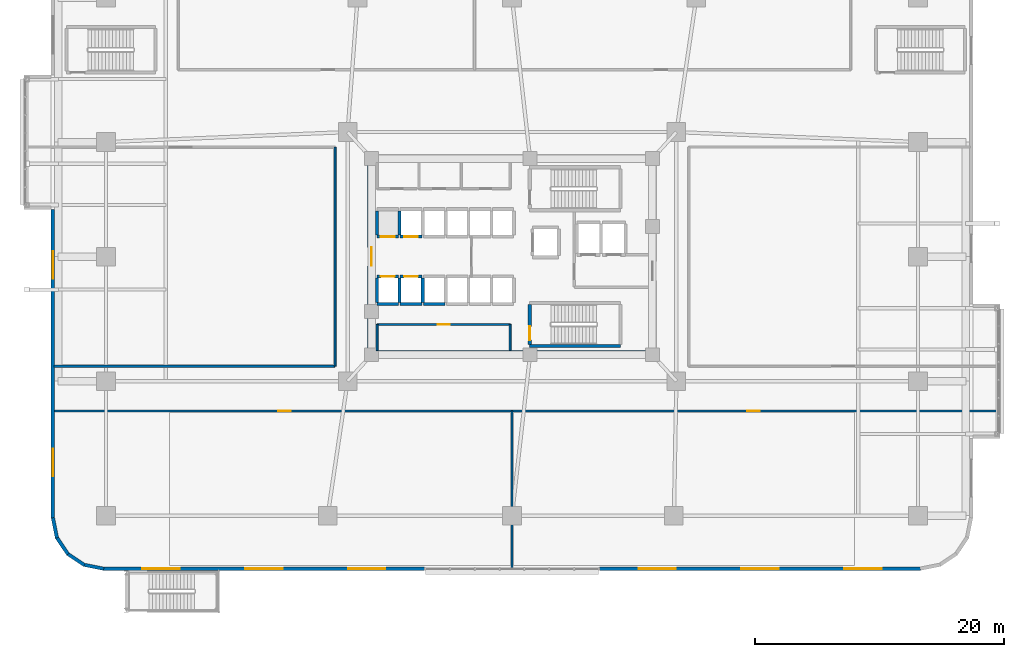
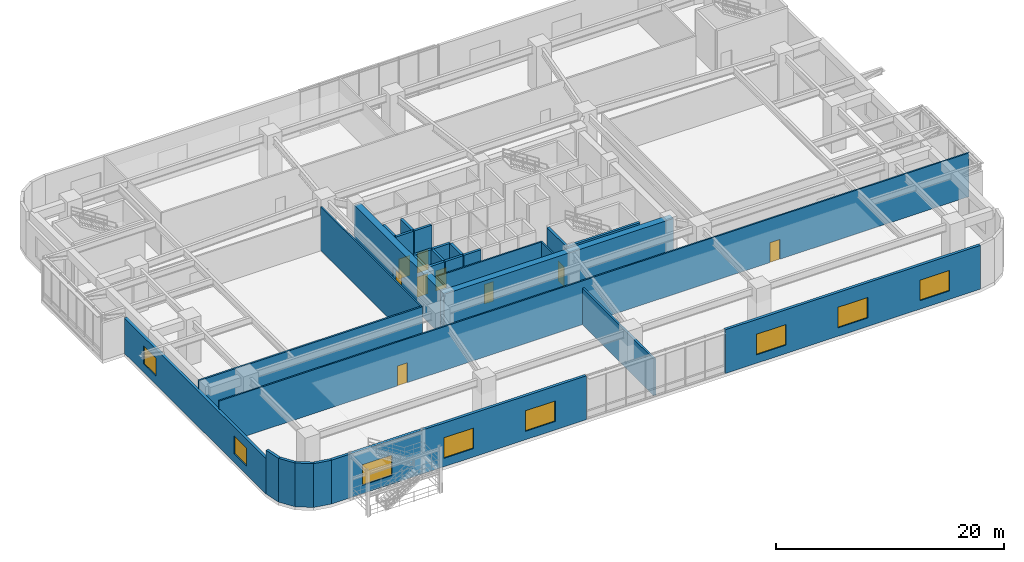
# One storey, part 15 of 23: 30 walls, 9 doors, 8 windows, 17 openings.
"""IFC4 building model written with IfcOpenShell, lengths in metres."""

from ifc_helpers import new_model, si_unit, direction, frame, frame_2d, origin, place, context, subcontext, project, spatial, rectangle, extrude, material, layer, layer_set, type_object, element, fill, save


model = new_model("IFC4")

# Units and contexts
model_context = context("Model", 3, precision=1e-05, world=origin(), true_north=direction((0.0, 1.0)))
body_context = subcontext(model_context, "Body", "Model", "MODEL_VIEW")
ifc_project = project(units=[si_unit("LENGTHUNIT", "METRE"), si_unit("AREAUNIT", "SQUARE_METRE"), si_unit("VOLUMEUNIT", "CUBIC_METRE"), si_unit("PLANEANGLEUNIT", "RADIAN"), si_unit("MASSUNIT", "GRAM", prefix="KILO")], contexts=[model_context])

# Site, building, storey
site_placement = place(None, origin())
site = spatial("IfcSite", under=ifc_project, at=site_placement, CompositionType="ELEMENT")
building_placement = place(site_placement, origin())
building = spatial("IfcBuilding", under=site, at=building_placement, Name="Zulverin Broadcast Headquarters", CompositionType="ELEMENT")
storey_placement = place(building_placement, frame((0.0, 0.0, 10.0)))
storey = spatial("IfcBuildingStorey", under=building, at=storey_placement, Name="L02", CompositionType="ELEMENT", Elevation=10.0)

# Walls
ifc_material_1 = material(Name="Acoustic drywall steel stud", Category="steel")
ifc_layer_1 = layer(ifc_material_1, 0.199951171875, Name="Acoustic drywall steel stud", Category="steel")
ifc_layer_set_1 = layer_set([ifc_layer_1], Name="Acoustic drywall steel stud")
wall_type_1 = type_object("IfcWallType", Name="WL-ACOU-200", PredefinedType="PARTITIONING", material=ifc_layer_set_1)
wall_1_placement = place(storey_placement, frame((37.0, 0.205078125, 0.0), z_axis=(0.0, 0.0, 1.0), x_axis=(0.0, 1.0, 0.0)))
element("IfcWall", 1, at=wall_1_placement, inside=storey, type_object=wall_type_1, Name="L02 Room Partition Wall RP-03", PredefinedType="PARTITIONING", context=body_context, shape_type="SweptSolid", body=[
    extrude(rectangle(XDim=12.594970703125, YDim=0.199951171875, at=frame_2d((6.29736328125, 0.0))), origin(), (0.0, 0.0, 1.0), 3.91015625),
])
ifc_material_2 = material(Name="Concrete C60/75", Category="concrete")
ifc_layer_2 = layer(ifc_material_2, 0.64990234375, Name="Concrete C60/75", Category="concrete")
ifc_layer_set_2 = layer_set([ifc_layer_2], Name="Concrete C60/75")
wall_type_2 = type_object("IfcWallType", Name="WL-CORE-650", PredefinedType="SHEAR", material=ifc_layer_set_2)
wall_2_placement = place(storey_placement, frame((25.39990234375, 17.324951171875, 0.0), z_axis=(0.0, 0.0, 1.0), x_axis=(1.0, 0.0, 0.0)))
element("IfcWall", 2, at=wall_2_placement, inside=storey, type_object=wall_type_2, Name="L02 Core South Shear Wall", PredefinedType="SHEAR", context=body_context, shape_type="SweptSolid", body=[
    extrude(rectangle(XDim=23.2001953125, YDim=0.64990234375, at=frame_2d((11.60009765625, 0.0))), origin(), (0.0, 0.0, 1.0), 4.679931640625),
])

# Wall, opening, door
wall_3_placement = place(storey_placement, frame((25.72509765625, 17.64990234375, 0.0), z_axis=(0.0, 0.0, 1.0), x_axis=(0.0, 1.0, 0.0)))
wall_3 = element("IfcWall", 3, at=wall_3_placement, inside=storey, type_object=wall_type_2, Name="L02 Core West Shear Wall", PredefinedType="SHEAR", context=body_context, shape_type="SweptSolid", body=[
    extrude(rectangle(XDim=15.10009765625, YDim=0.64990234375, at=frame_2d((7.550048828125, 0.0))), origin(), (0.0, 0.0, 1.0), 4.679931640625),
])
opening_1_placement = place(wall_3_placement, frame((6.800048828125, 0.0, 0.0)))
opening_1 = element("IfcOpeningElement", 4, at=opening_1_placement, cuts=wall_3, Name="Opening D-L02-CW1", PredefinedType="OPENING", context=body_context, shape_type="SweptSolid", body=[
    extrude(rectangle(XDim=1.5, YDim=2.14990234375, at=frame_2d((0.75, 1.074951171875))), frame((0.0, 0.3349609375, 0.0), z_axis=(0.0, -1.0, 0.0), x_axis=(1.0, 0.0, 0.0)), (0.0, 0.0, 1.0), 0.669921875),
])
ifc_material_3 = material(Name="Fire-rated glazed steel frame", Category="steel")
door_type_1 = type_object("IfcDoorType", Name="DR-COR-1500", OperationType="DOUBLE_DOOR_SINGLE_SWING", PredefinedType="DOOR", material=ifc_material_3)
door_1_placement = place(opening_1_placement, origin())
door_1 = element("IfcDoor", 5, at=door_1_placement, inside=storey, type_object=door_type_1, Name="L02 Central Lift Lobby West Portal Door", OperationType="DOUBLE_DOOR_SINGLE_SWING", OverallHeight=2.14990234375, OverallWidth=1.5, PredefinedType="DOOR", context=body_context, shape_type="SweptSolid", body=[
    extrude(rectangle(XDim=1.5, YDim=2.14990234375, at=frame_2d((0.75, 1.074951171875))), frame((0.0, 0.02490234375, 0.0), z_axis=(0.0, -1.0, 0.0), x_axis=(1.0, 0.0, 0.0)), (0.0, 0.0, 1.0), 0.050048828125),
])
fill(opening_1, door_1)

# Wall, openings, windows
ifc_material_4 = material(Name="Insulated pale-metal clad concrete spandrel C40/50", Category="concrete")
ifc_layer_3 = layer(ifc_material_4, 0.280029296875, Name="Insulated pale-metal clad concrete spandrel C40/50", Category="concrete")
ifc_layer_set_3 = layer_set([ifc_layer_3], Name="Insulated pale-metal clad concrete spandrel C40/50")
wall_type_3 = type_object("IfcWallType", Name="WL-EXT-280", PredefinedType="STANDARD", material=ifc_layer_set_3)
wall_4_placement = place(storey_placement, frame((0.139892578125, 29.0, 0.0), z_axis=(0.0, 0.0, 1.0), x_axis=(0.0, -1.0, 0.0)))
wall_4 = element("IfcWall", 6, at=wall_4_placement, inside=storey, type_object=wall_type_3, Name="L02 Podium Spandrel Wall 3-2", PredefinedType="STANDARD", context=body_context, shape_type="SweptSolid", body=[
    extrude(rectangle(XDim=24.800048828125, YDim=0.280029296875, at=frame_2d((12.39990234375, 0.0))), origin(), (0.0, 0.0, 1.0), 3.780029296875),
])
opening_2_placement = place(wall_4_placement, frame((3.36669921875, 0.0, 0.89990234375)))
opening_2 = element("IfcOpeningElement", 7, at=opening_2_placement, cuts=wall_4, Name="Opening W-L02-E3S21", PredefinedType="OPENING", context=body_context, shape_type="SweptSolid", body=[
    extrude(rectangle(XDim=2.199951171875, YDim=1.949951171875, at=frame_2d((1.10009765625, 0.97509765625))), frame((0.0, 0.14990234375, 0.0), z_axis=(0.0, -1.0, 0.0), x_axis=(1.0, 0.0, 0.0)), (0.0, 0.0, 1.0), 0.300048828125),
])
opening_3_placement = place(wall_4_placement, frame((19.2333984375, 0.0, 0.89990234375)))
opening_3 = element("IfcOpeningElement", 8, at=opening_3_placement, cuts=wall_4, Name="Opening W-L02-E3S22", PredefinedType="OPENING", context=body_context, shape_type="SweptSolid", body=[
    extrude(rectangle(XDim=2.199951171875, YDim=1.949951171875, at=frame_2d((1.10009765625, 0.97509765625))), frame((0.0, 0.14990234375, 0.0), z_axis=(0.0, -1.0, 0.0), x_axis=(1.0, 0.0, 0.0)), (0.0, 0.0, 1.0), 0.300048828125),
])
ifc_material_5 = material(Name="Pale anodized aluminium frame with solar-control low-E double glazing", Category="aluminium")
window_type_1 = type_object("IfcWindowType", Name="WIN-POD-2200", PartitioningType="SINGLE_PANEL", PredefinedType="WINDOW", material=ifc_material_5)
window_1_placement = place(opening_2_placement, origin())
window_1 = element("IfcWindow", 9, at=window_1_placement, inside=storey, type_object=window_type_1, Name="L02 Podium Ribbon Window 3-2 1", OverallHeight=1.949951171875, OverallWidth=2.199951171875, PartitioningType="SINGLE_PANEL", PredefinedType="WINDOW", context=body_context, shape_type="SweptSolid", body=[
    extrude(rectangle(XDim=2.199951171875, YDim=1.949951171875, at=frame_2d((1.10009765625, 0.97509765625))), frame((0.0, 0.030029296875, 0.0), z_axis=(0.0, -1.0, 0.0), x_axis=(1.0, 0.0, 0.0)), (0.0, 0.0, 1.0), 0.06005859375),
])
fill(opening_2, window_1)
window_2_placement = place(opening_3_placement, origin())
window_2 = element("IfcWindow", 10, at=window_2_placement, inside=storey, type_object=window_type_1, Name="L02 Podium Ribbon Window 3-2 2", OverallHeight=1.949951171875, OverallWidth=2.199951171875, PartitioningType="SINGLE_PANEL", PredefinedType="WINDOW", context=body_context, shape_type="SweptSolid", body=[
    extrude(rectangle(XDim=2.199951171875, YDim=1.949951171875, at=frame_2d((1.10009765625, 0.97509765625))), frame((0.0, 0.030029296875, 0.0), z_axis=(0.0, -1.0, 0.0), x_axis=(1.0, 0.0, 0.0)), (0.0, 0.0, 1.0), 0.06005859375),
])
fill(opening_3, window_2)

wall_5_placement = place(storey_placement, frame((4.199951171875, 0.139892578125, 0.0), z_axis=(0.0, 0.0, 1.0), x_axis=(1.0, 0.0, 0.0)))
wall_5 = element("IfcWall", 11, at=wall_5_placement, inside=storey, type_object=wall_type_3, Name="L02 Podium Flank Wall 4-1", PredefinedType="STANDARD", context=body_context, shape_type="SweptSolid", body=[
    extrude(rectangle(XDim=25.761962890625, YDim=0.280029296875, at=frame_2d((12.880859375, 0.0))), origin(), (0.0, 0.0, 1.0), 4.679931640625),
])
opening_4_placement = place(wall_5_placement, frame((3.126953125, 0.0, 0.89990234375)))
opening_4 = element("IfcOpeningElement", 12, at=opening_4_placement, cuts=wall_5, Name="Opening W-L02-F411", PredefinedType="OPENING", context=body_context, shape_type="SweptSolid", body=[
    extrude(rectangle(XDim=3.0, YDim=2.199951171875, at=frame_2d((1.5, 1.10009765625))), frame((0.0, 0.14990234375, 0.0), z_axis=(0.0, -1.0, 0.0), x_axis=(1.0, 0.0, 0.0)), (0.0, 0.0, 1.0), 0.300048828125),
])
opening_5_placement = place(wall_5_placement, frame((11.381103515625, 0.0, 0.89990234375)))
opening_5 = element("IfcOpeningElement", 13, at=opening_5_placement, cuts=wall_5, Name="Opening W-L02-F412", PredefinedType="OPENING", context=body_context, shape_type="SweptSolid", body=[
    extrude(rectangle(XDim=3.0, YDim=2.199951171875, at=frame_2d((1.5, 1.10009765625))), frame((0.0, 0.14990234375, 0.0), z_axis=(0.0, -1.0, 0.0), x_axis=(1.0, 0.0, 0.0)), (0.0, 0.0, 1.0), 0.300048828125),
])
opening_6_placement = place(wall_5_placement, frame((19.635009765625, 0.0, 0.89990234375)))
opening_6 = element("IfcOpeningElement", 14, at=opening_6_placement, cuts=wall_5, Name="Opening W-L02-F413", PredefinedType="OPENING", context=body_context, shape_type="SweptSolid", body=[
    extrude(rectangle(XDim=3.0, YDim=2.199951171875, at=frame_2d((1.5, 1.10009765625))), frame((0.0, 0.14990234375, 0.0), z_axis=(0.0, -1.0, 0.0), x_axis=(1.0, 0.0, 0.0)), (0.0, 0.0, 1.0), 0.300048828125),
])
window_type_2 = type_object("IfcWindowType", Name="WIN-POD-3000", PartitioningType="SINGLE_PANEL", PredefinedType="WINDOW", material=ifc_material_5)
window_3_placement = place(opening_4_placement, origin())
window_3 = element("IfcWindow", 15, at=window_3_placement, inside=storey, type_object=window_type_2, Name="L02 Podium Flank Window 4-1 1", OverallHeight=2.199951171875, OverallWidth=3.0, PartitioningType="SINGLE_PANEL", PredefinedType="WINDOW", context=body_context, shape_type="SweptSolid", body=[
    extrude(rectangle(XDim=3.0, YDim=2.199951171875, at=frame_2d((1.5, 1.10009765625))), frame((0.0, 0.030029296875, 0.0), z_axis=(0.0, -1.0, 0.0), x_axis=(1.0, 0.0, 0.0)), (0.0, 0.0, 1.0), 0.06005859375),
])
fill(opening_4, window_3)
window_4_placement = place(opening_5_placement, origin())
window_4 = element("IfcWindow", 16, at=window_4_placement, inside=storey, type_object=window_type_2, Name="L02 Podium Flank Window 4-1 2", OverallHeight=2.199951171875, OverallWidth=3.0, PartitioningType="SINGLE_PANEL", PredefinedType="WINDOW", context=body_context, shape_type="SweptSolid", body=[
    extrude(rectangle(XDim=3.0, YDim=2.199951171875, at=frame_2d((1.5, 1.10009765625))), frame((0.0, 0.030029296875, 0.0), z_axis=(0.0, -1.0, 0.0), x_axis=(1.0, 0.0, 0.0)), (0.0, 0.0, 1.0), 0.06005859375),
])
fill(opening_5, window_4)
window_5_placement = place(opening_6_placement, origin())
window_5 = element("IfcWindow", 17, at=window_5_placement, inside=storey, type_object=window_type_2, Name="L02 Podium Flank Window 4-1 3", OverallHeight=2.199951171875, OverallWidth=3.0, PartitioningType="SINGLE_PANEL", PredefinedType="WINDOW", context=body_context, shape_type="SweptSolid", body=[
    extrude(rectangle(XDim=3.0, YDim=2.199951171875, at=frame_2d((1.5, 1.10009765625))), frame((0.0, 0.030029296875, 0.0), z_axis=(0.0, -1.0, 0.0), x_axis=(1.0, 0.0, 0.0)), (0.0, 0.0, 1.0), 0.06005859375),
])
fill(opening_6, window_5)

wall_6_placement = place(storey_placement, frame((44.0380859375, 0.139892578125, 0.0), z_axis=(0.0, 0.0, 1.0), x_axis=(1.0, 0.0, 0.0)))
wall_6 = element("IfcWall", 18, at=wall_6_placement, inside=storey, type_object=wall_type_3, Name="L02 Podium Flank Wall 4-2", PredefinedType="STANDARD", context=body_context, shape_type="SweptSolid", body=[
    extrude(rectangle(XDim=25.761962890625, YDim=0.280029296875, at=frame_2d((12.880859375, 0.0))), origin(), (0.0, 0.0, 1.0), 4.679931640625),
])
opening_7_placement = place(wall_6_placement, frame((3.126953125, 0.0, 0.89990234375)))
opening_7 = element("IfcOpeningElement", 19, at=opening_7_placement, cuts=wall_6, Name="Opening W-L02-F421", PredefinedType="OPENING", context=body_context, shape_type="SweptSolid", body=[
    extrude(rectangle(XDim=3.0, YDim=2.199951171875, at=frame_2d((1.5, 1.10009765625))), frame((0.0, 0.14990234375, 0.0), z_axis=(0.0, -1.0, 0.0), x_axis=(1.0, 0.0, 0.0)), (0.0, 0.0, 1.0), 0.300048828125),
])
opening_8_placement = place(wall_6_placement, frame((11.381103515625, 0.0, 0.89990234375)))
opening_8 = element("IfcOpeningElement", 20, at=opening_8_placement, cuts=wall_6, Name="Opening W-L02-F422", PredefinedType="OPENING", context=body_context, shape_type="SweptSolid", body=[
    extrude(rectangle(XDim=3.0, YDim=2.199951171875, at=frame_2d((1.5, 1.10009765625))), frame((0.0, 0.14990234375, 0.0), z_axis=(0.0, -1.0, 0.0), x_axis=(1.0, 0.0, 0.0)), (0.0, 0.0, 1.0), 0.300048828125),
])
opening_9_placement = place(wall_6_placement, frame((19.635009765625, 0.0, 0.89990234375)))
opening_9 = element("IfcOpeningElement", 21, at=opening_9_placement, cuts=wall_6, Name="Opening W-L02-F423", PredefinedType="OPENING", context=body_context, shape_type="SweptSolid", body=[
    extrude(rectangle(XDim=3.0, YDim=2.199951171875, at=frame_2d((1.5, 1.10009765625))), frame((0.0, 0.14990234375, 0.0), z_axis=(0.0, -1.0, 0.0), x_axis=(1.0, 0.0, 0.0)), (0.0, 0.0, 1.0), 0.300048828125),
])
window_6_placement = place(opening_7_placement, origin())
window_6 = element("IfcWindow", 22, at=window_6_placement, inside=storey, type_object=window_type_2, Name="L02 Podium Flank Window 4-2 1", OverallHeight=2.199951171875, OverallWidth=3.0, PartitioningType="SINGLE_PANEL", PredefinedType="WINDOW", context=body_context, shape_type="SweptSolid", body=[
    extrude(rectangle(XDim=3.0, YDim=2.199951171875, at=frame_2d((1.5, 1.10009765625))), frame((0.0, 0.030029296875, 0.0), z_axis=(0.0, -1.0, 0.0), x_axis=(1.0, 0.0, 0.0)), (0.0, 0.0, 1.0), 0.06005859375),
])
fill(opening_7, window_6)
window_7_placement = place(opening_8_placement, origin())
window_7 = element("IfcWindow", 23, at=window_7_placement, inside=storey, type_object=window_type_2, Name="L02 Podium Flank Window 4-2 2", OverallHeight=2.199951171875, OverallWidth=3.0, PartitioningType="SINGLE_PANEL", PredefinedType="WINDOW", context=body_context, shape_type="SweptSolid", body=[
    extrude(rectangle(XDim=3.0, YDim=2.199951171875, at=frame_2d((1.5, 1.10009765625))), frame((0.0, 0.030029296875, 0.0), z_axis=(0.0, -1.0, 0.0), x_axis=(1.0, 0.0, 0.0)), (0.0, 0.0, 1.0), 0.06005859375),
])
fill(opening_8, window_7)
window_8_placement = place(opening_9_placement, origin())
window_8 = element("IfcWindow", 24, at=window_8_placement, inside=storey, type_object=window_type_2, Name="L02 Podium Flank Window 4-2 3", OverallHeight=2.199951171875, OverallWidth=3.0, PartitioningType="SINGLE_PANEL", PredefinedType="WINDOW", context=body_context, shape_type="SweptSolid", body=[
    extrude(rectangle(XDim=3.0, YDim=2.199951171875, at=frame_2d((1.5, 1.10009765625))), frame((0.0, 0.030029296875, 0.0), z_axis=(0.0, -1.0, 0.0), x_axis=(1.0, 0.0, 0.0)), (0.0, 0.0, 1.0), 0.06005859375),
])
fill(opening_9, window_8)

# Walls
for number, where, z_axis, x_axis, name in (
    (25, (0.13720703125, 4.227294921875, 0.0), (0.0, 0.0, 1.0), (0.19517056122, -0.980769316421, 0.0), "L02 Wind-Shaped Corner Spandrel Wall 3-1"),
    (26, (0.43603515625, 2.67041015625, 0.0), (0.0, 0.0, 1.0), (0.555731236514, -0.831362010656, 0.0), "L02 Wind-Shaped Corner Spandrel Wall 3-2"),
    (27, (1.30810546875, 1.3466796875, 0.0), (0.0, 0.0, 1.0), (0.831362010656, -0.555731236514, 0.0), "L02 Wind-Shaped Corner Spandrel Wall 3-3"),
    (28, (2.6201171875, 0.45703125, 0.0), (0.0, 0.0, 1.0), (0.980769316421, -0.19517056122, 0.0), "L02 Wind-Shaped Corner Spandrel Wall 3-4"),
):
    element("IfcWall", number, at=place(storey_placement, frame(where, z_axis=z_axis, x_axis=x_axis)), inside=storey, type_object=wall_type_3, Name=name, PredefinedType="STANDARD", context=body_context, shape_type="SweptSolid", body=[
        extrude(rectangle(XDim=1.638671875, YDim=0.280029296875, at=frame_2d((0.8193359375, 0.0))), origin(), (0.0, 0.0, 1.0), 4.679931640625),
    ])

# Wall, opening, door
ifc_material_6 = material(Name="Fire-rated gypsum stud partition", Category="gypsum")
ifc_layer_4 = layer(ifc_material_6, 0.14990234375, Name="Fire-rated gypsum stud partition", Category="gypsum")
ifc_layer_set_4 = layer_set([ifc_layer_4], Name="Fire-rated gypsum stud partition")
wall_type_4 = type_object("IfcWallType", Name="WL-PART-150", PredefinedType="PARTITIONING", material=ifc_layer_set_4)
wall_7_placement = place(storey_placement, frame((26.169921875, 19.75, 0.0), z_axis=(0.0, 0.0, 1.0), x_axis=(1.0, 0.0, 0.0)))
wall_7 = element("IfcWall", 29, at=wall_7_placement, inside=storey, type_object=wall_type_4, Name="L02 Core Female WC & Facilities Room Front Wall", PredefinedType="PARTITIONING", context=body_context, shape_type="SweptSolid", body=[
    extrude(rectangle(XDim=10.68017578125, YDim=0.14990234375, at=frame_2d((5.340087890625, 0.0))), origin(), (0.0, 0.0, 1.0), 4.679931640625),
])
opening_10_placement = place(wall_7_placement, frame((4.864990234375, 0.0, 0.0)))
opening_10 = element("IfcOpeningElement", 30, at=opening_10_placement, cuts=wall_7, Name="Opening D-L02-SC1", PredefinedType="OPENING", context=body_context, shape_type="SweptSolid", body=[
    extrude(rectangle(XDim=0.949951171875, YDim=2.10009765625, at=frame_2d((0.47509765625, 1.050048828125))), frame((0.0, 0.0849609375, 0.0), z_axis=(0.0, -1.0, 0.0), x_axis=(1.0, 0.0, 0.0)), (0.0, 0.0, 1.0), 0.169921875),
])
ifc_material_7 = material(Name="Fire-rated moisture-resistant laminate leaf", Category="wood")
door_type_2 = type_object("IfcDoorType", Name="DR-WC-950", OperationType="SINGLE_SWING_LEFT", PredefinedType="DOOR", material=ifc_material_7)
door_2_placement = place(opening_10_placement, origin())
door_2 = element("IfcDoor", 31, at=door_2_placement, inside=storey, type_object=door_type_2, Name="L02 Female WC & Facilities Room Door", OperationType="SINGLE_SWING_RIGHT", OverallHeight=2.10009765625, OverallWidth=0.949951171875, PredefinedType="DOOR", context=body_context, shape_type="SweptSolid", body=[
    extrude(rectangle(XDim=0.949951171875, YDim=2.10009765625, at=frame_2d((0.47509765625, 1.050048828125))), frame((0.0, 0.02490234375, 0.0), z_axis=(0.0, -1.0, 0.0), x_axis=(1.0, 0.0, 0.0)), (0.0, 0.0, 1.0), 0.050048828125),
])
fill(opening_10, door_2)

# Walls
for number, where, z_axis, x_axis, name in (
    (32, (26.169921875, 17.64990234375, 0.0), (0.0, 0.0, 1.0), (0.0, 1.0, 0.0), "L02 Core Female WC & Facilities Room West Wall"),
    (33, (36.85009765625, 17.64990234375, 0.0), (0.0, 0.0, 1.0), (0.0, 1.0, 0.0), "L02 Core Female WC & Facilities Room East Wall"),
):
    element("IfcWall", number, at=place(storey_placement, frame(where, z_axis=z_axis, x_axis=x_axis)), inside=storey, type_object=wall_type_4, Name=name, PredefinedType="PARTITIONING", context=body_context, shape_type="SweptSolid", body=[
        extrude(rectangle(XDim=2.10009765625, YDim=0.14990234375, at=frame_2d((1.050048828125, 0.0))), origin(), (0.0, 0.0, 1.0), 4.679931640625),
    ])
wall_8_placement = place(storey_placement, frame((22.800048828125, 16.39990234375, 0.0), z_axis=(0.0, 0.0, 1.0), x_axis=(0.0, 1.0, 0.0)))
element("IfcWall", 34, at=wall_8_placement, inside=storey, type_object=wall_type_4, Name="L02 Gallery Partition Wall CG-05", PredefinedType="PARTITIONING", context=body_context, shape_type="SweptSolid", body=[
    extrude(rectangle(XDim=17.60009765625, YDim=0.14990234375, at=frame_2d((8.800048828125, 0.0))), origin(), (0.0, 0.0, 1.0), 4.679931640625),
])

# Wall, openings, doors
wall_9_placement = place(storey_placement, frame((0.205078125, 12.800048828125, 0.0), z_axis=(0.0, 0.0, 1.0), x_axis=(1.0, 0.0, 0.0)))
wall_9 = element("IfcWall", 35, at=wall_9_placement, inside=storey, type_object=wall_type_4, Name="L02 Gallery Partition Wall CG-07", PredefinedType="PARTITIONING", context=body_context, shape_type="SweptSolid", body=[
    extrude(rectangle(XDim=75.7900390625, YDim=0.14990234375, at=frame_2d((37.89501953125, 0.0))), origin(), (0.0, 0.0, 1.0), 4.679931640625),
])
opening_11_placement = place(wall_9_placement, frame((18.017578125, 0.0, 0.0)))
opening_11 = element("IfcOpeningElement", 36, at=opening_11_placement, cuts=wall_9, Name="Opening D-L02-SOUTH1", PredefinedType="OPENING", context=body_context, shape_type="SweptSolid", body=[
    extrude(rectangle(XDim=1.0, YDim=2.1201171875, at=frame_2d((0.5, 1.06005859375))), frame((0.0, 0.0849609375, 0.0), z_axis=(0.0, -1.0, 0.0), x_axis=(1.0, 0.0, 0.0)), (0.0, 0.0, 1.0), 0.169921875),
])
opening_12_placement = place(wall_9_placement, frame((55.672607421875, 0.0, 0.0)))
opening_12 = element("IfcOpeningElement", 37, at=opening_12_placement, cuts=wall_9, Name="Opening D-L02-SOUTH2", PredefinedType="OPENING", context=body_context, shape_type="SweptSolid", body=[
    extrude(rectangle(XDim=1.0, YDim=2.1201171875, at=frame_2d((0.5, 1.06005859375))), frame((0.0, 0.0849609375, 0.0), z_axis=(0.0, -1.0, 0.0), x_axis=(1.0, 0.0, 0.0)), (0.0, 0.0, 1.0), 0.169921875),
])
ifc_material_8 = material(Name="Hardwood veneer acoustic leaf", Category="wood")
door_type_3 = type_object("IfcDoorType", Name="DR-OFF-1000", OperationType="SINGLE_SWING_LEFT", PredefinedType="DOOR", material=ifc_material_8)
door_3_placement = place(opening_11_placement, origin())
door_3 = element("IfcDoor", 38, at=door_3_placement, inside=storey, type_object=door_type_3, Name="L02 Post-Production Editing Suite Door", OperationType="SINGLE_SWING_RIGHT", OverallHeight=2.1201171875, OverallWidth=1.0, PredefinedType="DOOR", context=body_context, shape_type="SweptSolid", body=[
    extrude(rectangle(XDim=1.0, YDim=2.1201171875, at=frame_2d((0.5, 1.06005859375))), frame((0.0, 0.02490234375, 0.0), z_axis=(0.0, -1.0, 0.0), x_axis=(1.0, 0.0, 0.0)), (0.0, 0.0, 1.0), 0.050048828125),
])
fill(opening_11, door_3)
door_4_placement = place(opening_12_placement, origin())
door_4 = element("IfcDoor", 39, at=door_4_placement, inside=storey, type_object=door_type_3, Name="L02 Master Control & Sound Mixing Room Door", OperationType="SINGLE_SWING_LEFT", OverallHeight=2.1201171875, OverallWidth=1.0, PredefinedType="DOOR", context=body_context, shape_type="SweptSolid", body=[
    extrude(rectangle(XDim=1.0, YDim=2.1201171875, at=frame_2d((0.5, 1.06005859375))), frame((0.0, 0.02490234375, 0.0), z_axis=(0.0, -1.0, 0.0), x_axis=(1.0, 0.0, 0.0)), (0.0, 0.0, 1.0), 0.050048828125),
])
fill(opening_12, door_4)

# Walls
ifc_material_9 = material(Name="Fire-rated acoustic stud wall", Category="gypsum")
ifc_layer_5 = layer(ifc_material_9, 0.175048828125, Name="Fire-rated acoustic stud wall", Category="gypsum")
ifc_layer_set_5 = layer_set([ifc_layer_5], Name="Fire-rated acoustic stud wall")
wall_type_5 = type_object("IfcWallType", Name="WL-PART-175", PredefinedType="PARTITIONING", material=ifc_layer_set_5)
wall_10_placement = place(storey_placement, frame((0.205078125, 16.39990234375, 0.0), z_axis=(0.0, 0.0, 1.0), x_axis=(1.0, 0.0, 0.0)))
element("IfcWall", 40, at=wall_10_placement, inside=storey, type_object=wall_type_5, Name="L02 Gallery Partition Wall CG-08", PredefinedType="PARTITIONING", context=body_context, shape_type="SweptSolid", body=[
    extrude(rectangle(XDim=22.594970703125, YDim=0.175048828125, at=frame_2d((11.29736328125, 0.0))), origin(), (0.0, 0.0, 1.0), 4.679931640625),
])
ifc_material_10 = material(Name="Concrete C50/60", Category="concrete")
ifc_layer_6 = layer(ifc_material_10, 0.25, Name="Concrete C50/60", Category="concrete")
ifc_layer_set_6 = layer_set([ifc_layer_6], Name="Concrete C50/60")
wall_type_6 = type_object("IfcWallType", Name="WL-SHAFT-250", PredefinedType="SHEAR", material=ifc_layer_set_6)
wall_11_placement = place(storey_placement, frame((38.425048828125, 18.02490234375, 0.0), z_axis=(0.0, 0.0, 1.0), x_axis=(1.0, 0.0, 0.0)))
element("IfcWall", 41, at=wall_11_placement, inside=storey, type_object=wall_type_6, Name="L02 ST-2 Enclosure Wall S", PredefinedType="SHEAR", context=body_context, shape_type="SweptSolid", body=[
    extrude(rectangle(XDim=7.300048828125, YDim=0.25, at=frame_2d((3.64990234375, 0.0))), origin(), (0.0, 0.0, 1.0), 4.679931640625),
])

# Wall, opening, door
wall_12_placement = place(storey_placement, frame((38.425048828125, 18.14990234375, 0.0), z_axis=(0.0, 0.0, 1.0), x_axis=(0.0, 1.0, 0.0)))
wall_12 = element("IfcWall", 42, at=wall_12_placement, inside=storey, type_object=wall_type_6, Name="L02 ST-2 Enclosure Wall W", PredefinedType="SHEAR", context=body_context, shape_type="SweptSolid", body=[
    extrude(rectangle(XDim=3.2001953125, YDim=0.25, at=frame_2d((1.60009765625, 0.0))), origin(), (0.0, 0.0, 1.0), 4.679931640625),
])
opening_13_placement = place(wall_12_placement, frame((0.35009765625, 0.0, 0.0)))
opening_13 = element("IfcOpeningElement", 43, at=opening_13_placement, cuts=wall_12, Name="Opening D-L02-ST-2", PredefinedType="OPENING", context=body_context, shape_type="SweptSolid", body=[
    extrude(rectangle(XDim=1.10009765625, YDim=2.14990234375, at=frame_2d((0.550048828125, 1.074951171875))), frame((0.0, 0.135009765625, 0.0), z_axis=(0.0, -1.0, 0.0), x_axis=(1.0, 0.0, 0.0)), (0.0, 0.0, 1.0), 0.27001953125),
])
ifc_material_11 = material(Name="Fire-rated steel leaf and frame", Category="steel")
door_type_4 = type_object("IfcDoorType", Name="DR-STAIR-1100", OperationType="SINGLE_SWING_LEFT", PredefinedType="DOOR", material=ifc_material_11)
door_5_placement = place(opening_13_placement, origin())
door_5 = element("IfcDoor", 44, at=door_5_placement, inside=storey, type_object=door_type_4, Name="L02 Exit Stair ST-2 Fire Door", OperationType="SINGLE_SWING_RIGHT", OverallHeight=2.14990234375, OverallWidth=1.10009765625, PredefinedType="DOOR", context=body_context, shape_type="SweptSolid", body=[
    extrude(rectangle(XDim=1.10009765625, YDim=2.14990234375, at=frame_2d((0.550048828125, 1.074951171875))), frame((0.0, 0.02490234375, 0.0), z_axis=(0.0, -1.0, 0.0), x_axis=(1.0, 0.0, 0.0)), (0.0, 0.0, 1.0), 0.050048828125),
])
fill(opening_13, door_5)

wall_13_placement = place(storey_placement, frame((26.14990234375, 26.800048828125, 0.0), z_axis=(0.0, 0.0, 1.0), x_axis=(1.0, 0.0, 0.0)))
wall_13 = element("IfcWall", 45, at=wall_13_placement, inside=storey, type_object=wall_type_6, Name="L02 Lift PL-L1 Shaft Wall S", PredefinedType="SHEAR", context=body_context, shape_type="SweptSolid", body=[
    extrude(rectangle(XDim=1.75, YDim=0.25, at=frame_2d((0.875, 0.0))), origin(), (0.0, 0.0, 1.0), 4.679931640625),
])
opening_14_placement = place(wall_13_placement, frame((0.324951171875, 0.0, 0.0)))
opening_14 = element("IfcOpeningElement", 46, at=opening_14_placement, cuts=wall_13, Name="Opening LD-PL-L1-L02", PredefinedType="OPENING", context=body_context, shape_type="SweptSolid", body=[
    extrude(rectangle(XDim=1.10009765625, YDim=2.14990234375, at=frame_2d((0.550048828125, 1.074951171875))), frame((0.0, 0.135009765625, 0.0), z_axis=(0.0, -1.0, 0.0), x_axis=(1.0, 0.0, 0.0)), (0.0, 0.0, 1.0), 0.27001953125),
])
ifc_material_12 = material(Name="Brushed stainless steel landing", Category="steel")
door_type_5 = type_object("IfcDoorType", Name="LD-PASS-1100", OperationType="DOUBLE_DOOR_SLIDING", PredefinedType="DOOR", material=ifc_material_12)
door_6_placement = place(opening_14_placement, origin())
door_6 = element("IfcDoor", 47, at=door_6_placement, inside=storey, type_object=door_type_5, Name="L02 Lift PL-L1 Sliding Landing Door", OperationType="DOUBLE_DOOR_SLIDING", OverallHeight=2.14990234375, OverallWidth=1.10009765625, PredefinedType="DOOR", context=body_context, shape_type="SweptSolid", body=[
    extrude(rectangle(XDim=1.10009765625, YDim=2.14990234375, at=frame_2d((0.550048828125, 1.074951171875))), frame((0.0, 0.02490234375, 0.0), z_axis=(0.0, -1.0, 0.0), x_axis=(1.0, 0.0, 0.0)), (0.0, 0.0, 1.0), 0.050048828125),
])
fill(opening_14, door_6)

# Walls
for number, where, z_axis, x_axis, name in (
    (48, (26.14990234375, 26.919921875, 0.0), (0.0, 0.0, 1.0), (0.0, 1.0, 0.0), "L02 Lift PL-L1 Shaft Wall W"),
    (49, (27.9599609375, 26.919921875, 0.0), (0.0, 0.0, 1.0), (0.0, 1.0, 0.0), "L02 Lift PL-L1 Shaft Wall E"),
):
    element("IfcWall", number, at=place(storey_placement, frame(where, z_axis=z_axis, x_axis=x_axis)), inside=storey, type_object=wall_type_6, Name=name, PredefinedType="SHEAR", context=body_context, shape_type="SweptSolid", body=[
        extrude(rectangle(XDim=1.9599609375, YDim=0.25, at=frame_2d((0.97998046875, 0.0))), origin(), (0.0, 0.0, 1.0), 4.679931640625),
    ])

# Wall, opening, door
wall_14_placement = place(storey_placement, frame((28.02001953125, 26.800048828125, 0.0), z_axis=(0.0, 0.0, 1.0), x_axis=(1.0, 0.0, 0.0)))
wall_14 = element("IfcWall", 50, at=wall_14_placement, inside=storey, type_object=wall_type_6, Name="L02 Lift PL-L2 Shaft Wall S", PredefinedType="SHEAR", context=body_context, shape_type="SweptSolid", body=[
    extrude(rectangle(XDim=1.75, YDim=0.25, at=frame_2d((0.875, 0.0))), origin(), (0.0, 0.0, 1.0), 4.679931640625),
])
opening_15_placement = place(wall_14_placement, frame((0.324951171875, 0.0, 0.0)))
opening_15 = element("IfcOpeningElement", 51, at=opening_15_placement, cuts=wall_14, Name="Opening LD-PL-L2-L02", PredefinedType="OPENING", context=body_context, shape_type="SweptSolid", body=[
    extrude(rectangle(XDim=1.10009765625, YDim=2.14990234375, at=frame_2d((0.550048828125, 1.074951171875))), frame((0.0, 0.135009765625, 0.0), z_axis=(0.0, -1.0, 0.0), x_axis=(1.0, 0.0, 0.0)), (0.0, 0.0, 1.0), 0.27001953125),
])
door_7_placement = place(opening_15_placement, origin())
door_7 = element("IfcDoor", 52, at=door_7_placement, inside=storey, type_object=door_type_5, Name="L02 Lift PL-L2 Sliding Landing Door", OperationType="DOUBLE_DOOR_SLIDING", OverallHeight=2.14990234375, OverallWidth=1.10009765625, PredefinedType="DOOR", context=body_context, shape_type="SweptSolid", body=[
    extrude(rectangle(XDim=1.10009765625, YDim=2.14990234375, at=frame_2d((0.550048828125, 1.074951171875))), frame((0.0, 0.02490234375, 0.0), z_axis=(0.0, -1.0, 0.0), x_axis=(1.0, 0.0, 0.0)), (0.0, 0.0, 1.0), 0.050048828125),
])
fill(opening_15, door_7)

# Wall
wall_15_placement = place(storey_placement, frame((26.14990234375, 21.39990234375, 0.0), z_axis=(0.0, 0.0, 1.0), x_axis=(1.0, 0.0, 0.0)))
element("IfcWall", 53, at=wall_15_placement, inside=storey, type_object=wall_type_6, Name="L02 Lift PL-L3 Shaft Wall S", PredefinedType="SHEAR", context=body_context, shape_type="SweptSolid", body=[
    extrude(rectangle(XDim=1.75, YDim=0.25, at=frame_2d((0.875, 0.0))), origin(), (0.0, 0.0, 1.0), 4.679931640625),
])

# Wall, opening, door
wall_16_placement = place(storey_placement, frame((26.14990234375, 23.60009765625, 0.0), z_axis=(0.0, 0.0, 1.0), x_axis=(1.0, 0.0, 0.0)))
wall_16 = element("IfcWall", 54, at=wall_16_placement, inside=storey, type_object=wall_type_6, Name="L02 Lift PL-L3 Shaft Wall N", PredefinedType="SHEAR", context=body_context, shape_type="SweptSolid", body=[
    extrude(rectangle(XDim=1.75, YDim=0.25, at=frame_2d((0.875, 0.0))), origin(), (0.0, 0.0, 1.0), 4.679931640625),
])
opening_16_placement = place(wall_16_placement, frame((0.324951171875, 0.0, 0.0)))
opening_16 = element("IfcOpeningElement", 55, at=opening_16_placement, cuts=wall_16, Name="Opening LD-PL-L3-L02", PredefinedType="OPENING", context=body_context, shape_type="SweptSolid", body=[
    extrude(rectangle(XDim=1.10009765625, YDim=2.14990234375, at=frame_2d((0.550048828125, 1.074951171875))), frame((0.0, 0.135009765625, 0.0), z_axis=(0.0, -1.0, 0.0), x_axis=(1.0, 0.0, 0.0)), (0.0, 0.0, 1.0), 0.27001953125),
])
door_8_placement = place(opening_16_placement, origin())
door_8 = element("IfcDoor", 56, at=door_8_placement, inside=storey, type_object=door_type_5, Name="L02 Lift PL-L3 Sliding Landing Door", OperationType="DOUBLE_DOOR_SLIDING", OverallHeight=2.14990234375, OverallWidth=1.10009765625, PredefinedType="DOOR", context=body_context, shape_type="SweptSolid", body=[
    extrude(rectangle(XDim=1.10009765625, YDim=2.14990234375, at=frame_2d((0.550048828125, 1.074951171875))), frame((0.0, 0.02490234375, 0.0), z_axis=(0.0, -1.0, 0.0), x_axis=(1.0, 0.0, 0.0)), (0.0, 0.0, 1.0), 0.050048828125),
])
fill(opening_16, door_8)

# Walls
for number, where, z_axis, x_axis, name in (
    (57, (26.14990234375, 21.52001953125, 0.0), (0.0, 0.0, 1.0), (0.0, 1.0, 0.0), "L02 Lift PL-L3 Shaft Wall W"),
    (58, (27.9599609375, 21.52001953125, 0.0), (0.0, 0.0, 1.0), (0.0, 1.0, 0.0), "L02 Lift PL-L3 Shaft Wall E"),
):
    element("IfcWall", number, at=place(storey_placement, frame(where, z_axis=z_axis, x_axis=x_axis)), inside=storey, type_object=wall_type_6, Name=name, PredefinedType="SHEAR", context=body_context, shape_type="SweptSolid", body=[
        extrude(rectangle(XDim=1.9599609375, YDim=0.25, at=frame_2d((0.97998046875, 0.0))), origin(), (0.0, 0.0, 1.0), 4.679931640625),
    ])
wall_17_placement = place(storey_placement, frame((28.02001953125, 21.39990234375, 0.0), z_axis=(0.0, 0.0, 1.0), x_axis=(1.0, 0.0, 0.0)))
element("IfcWall", 59, at=wall_17_placement, inside=storey, type_object=wall_type_6, Name="L02 Lift PL-L4 Shaft Wall S", PredefinedType="SHEAR", context=body_context, shape_type="SweptSolid", body=[
    extrude(rectangle(XDim=1.75, YDim=0.25, at=frame_2d((0.875, 0.0))), origin(), (0.0, 0.0, 1.0), 4.679931640625),
])

# Wall, opening, door
wall_18_placement = place(storey_placement, frame((28.02001953125, 23.60009765625, 0.0), z_axis=(0.0, 0.0, 1.0), x_axis=(1.0, 0.0, 0.0)))
wall_18 = element("IfcWall", 60, at=wall_18_placement, inside=storey, type_object=wall_type_6, Name="L02 Lift PL-L4 Shaft Wall N", PredefinedType="SHEAR", context=body_context, shape_type="SweptSolid", body=[
    extrude(rectangle(XDim=1.75, YDim=0.25, at=frame_2d((0.875, 0.0))), origin(), (0.0, 0.0, 1.0), 4.679931640625),
])
opening_17_placement = place(wall_18_placement, frame((0.324951171875, 0.0, 0.0)))
opening_17 = element("IfcOpeningElement", 61, at=opening_17_placement, cuts=wall_18, Name="Opening LD-PL-L4-L02", PredefinedType="OPENING", context=body_context, shape_type="SweptSolid", body=[
    extrude(rectangle(XDim=1.10009765625, YDim=2.14990234375, at=frame_2d((0.550048828125, 1.074951171875))), frame((0.0, 0.135009765625, 0.0), z_axis=(0.0, -1.0, 0.0), x_axis=(1.0, 0.0, 0.0)), (0.0, 0.0, 1.0), 0.27001953125),
])
door_9_placement = place(opening_17_placement, origin())
door_9 = element("IfcDoor", 62, at=door_9_placement, inside=storey, type_object=door_type_5, Name="L02 Lift PL-L4 Sliding Landing Door", OperationType="DOUBLE_DOOR_SLIDING", OverallHeight=2.14990234375, OverallWidth=1.10009765625, PredefinedType="DOOR", context=body_context, shape_type="SweptSolid", body=[
    extrude(rectangle(XDim=1.10009765625, YDim=2.14990234375, at=frame_2d((0.550048828125, 1.074951171875))), frame((0.0, 0.02490234375, 0.0), z_axis=(0.0, -1.0, 0.0), x_axis=(1.0, 0.0, 0.0)), (0.0, 0.0, 1.0), 0.050048828125),
])
fill(opening_17, door_9)

# Walls
wall_19_placement = place(storey_placement, frame((29.8349609375, 21.52001953125, 0.0), z_axis=(0.0, 0.0, 1.0), x_axis=(0.0, 1.0, 0.0)))
element("IfcWall", 63, at=wall_19_placement, inside=storey, type_object=wall_type_6, Name="L02 Lift PL-L4 Shaft Wall E", PredefinedType="SHEAR", context=body_context, shape_type="SweptSolid", body=[
    extrude(rectangle(XDim=1.9599609375, YDim=0.25, at=frame_2d((0.97998046875, 0.0))), origin(), (0.0, 0.0, 1.0), 4.679931640625),
])
wall_20_placement = place(storey_placement, frame((29.89990234375, 21.39990234375, 0.0), z_axis=(0.0, 0.0, 1.0), x_axis=(1.0, 0.0, 0.0)))
element("IfcWall", 64, at=wall_20_placement, inside=storey, type_object=wall_type_6, Name="L02 Lift PL-M1 Shaft Wall S", PredefinedType="SHEAR", context=body_context, shape_type="SweptSolid", body=[
    extrude(rectangle(XDim=1.72021484375, YDim=0.25, at=frame_2d((0.860107421875, 0.0))), origin(), (0.0, 0.0, 1.0), 4.679931640625),
])

save(model, "model.ifc")
